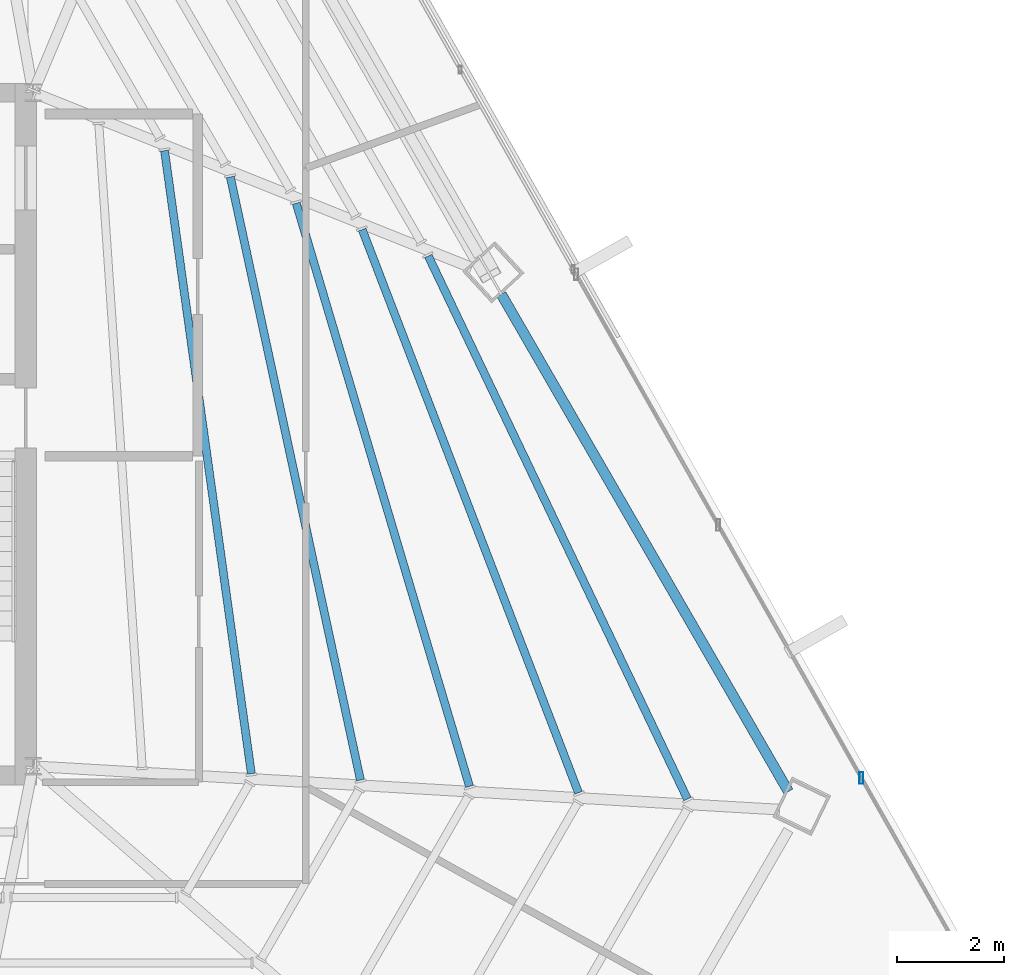
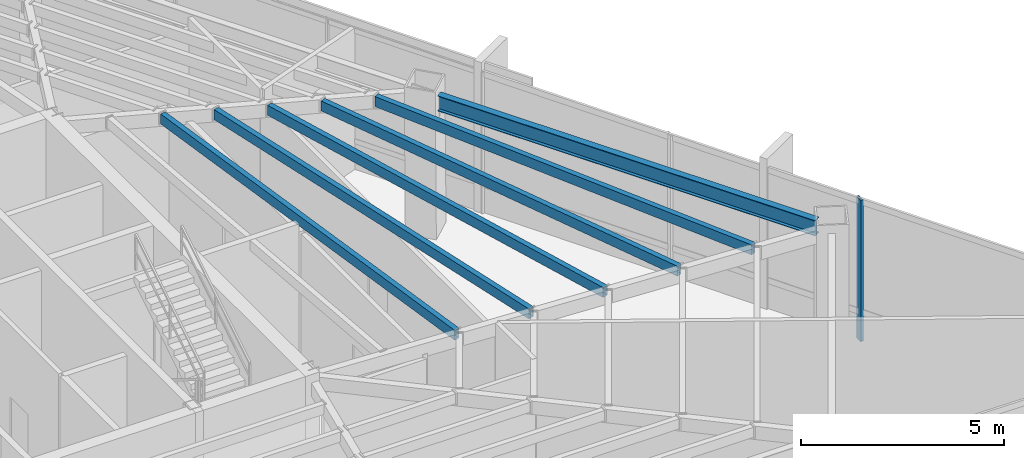
# One storey, part 19 of 37: 6 beams, 1 member, 1 element without a shape of its own.
"""IFC4 building model written with IfcOpenShell, lengths in metres."""

from ifc_helpers import new_model, si_unit, direction, frame, origin, origin_2d, place, context, subcontext, project, spatial, hollow_rectangle, i_section, extrude, source, transform, mapped, material, material_profile, profile_set, type_object, type_shapes, element, aggregate, save


model = new_model("IFC4")

# Units and contexts
model_context = context("Model", 3, precision=1e-05, world=origin(), true_north=direction((0.0, 1.0)))
body_context = subcontext(model_context, "Body", "Model", "MODEL_VIEW")
ifc_project = project(units=[si_unit("LENGTHUNIT", "METRE"), si_unit("AREAUNIT", "SQUARE_METRE"), si_unit("VOLUMEUNIT", "CUBIC_METRE"), si_unit("PLANEANGLEUNIT", "RADIAN"), si_unit("MASSUNIT", "GRAM", prefix="KILO")], contexts=[model_context])

# Site, building, storey
site_placement = place(None, origin())
site = spatial("IfcSite", under=ifc_project, at=site_placement, CompositionType="ELEMENT")
building_placement = place(site_placement, origin())
building = spatial("IfcBuilding", under=site, at=building_placement, Name="Caelisora Broadcast Tower", CompositionType="ELEMENT")
storey_placement = place(building_placement, frame((0.0, 0.0, 225.35009765625)))
storey = spatial("IfcBuildingStorey", under=building, at=storey_placement, Name="L59", CompositionType="ELEMENT", Elevation=225.35009765625)

# Beams
ifc_material_1 = material(Name="Steel Grade 350 (AS/NZS 3679.1)", Category="steel")
ifc_material_profile_1 = material_profile(ifc_material_1, i_section(OverallWidth=0.19091796875, OverallDepth=0.46044921875, WebThickness=0.010009765625, FlangeThickness=0.01611328125, at=origin_2d()), Name="Steel Grade 350 (AS/NZS 3679.1)")
ifc_profile_set_1 = profile_set([ifc_material_profile_1], Name="Steel Grade 350 (AS/NZS 3679.1)")
beam_type_1 = type_object("IfcBeamType", Name="PG06", PredefinedType="BEAM", material=ifc_profile_set_1)
shared_shape_1 = source(origin(), body_context, "Body", "SweptSolid", [
    extrude(i_section(OverallWidth=0.19091796875, OverallDepth=0.46044921875, WebThickness=0.010009765625, FlangeThickness=0.01611328125, at=origin_2d()), origin(), (0.0, 0.0, 1.0), 10.73876953125),
])
type_shapes(beam_type_1, [shared_shape_1])
beam_1_placement = place(storey_placement, frame((59.62841796875, 16.92626953125, 4.019775390625), z_axis=(-0.499999935134, 0.866025441235, 0.0), x_axis=(-0.866025441235, -0.499999935134, 0.0)))
element("IfcBeam", 1, at=beam_1_placement, inside=storey, type_object=beam_type_1, Name="L59 beam PG06", PredefinedType="BEAM", context=body_context, shape_type="MappedRepresentation", body=[
    mapped(shared_shape_1, transform((0.0, 0.0, 0.0), scale=1.0)),
])
ifc_material_2 = material(Name="Steel Grade 350 (AS/NZS 1163 C350L0)", Category="steel")
ifc_material_profile_2 = material_profile(ifc_material_2, hollow_rectangle(XDim=0.14990234375, YDim=0.300048828125, WallThickness=0.010009765625, at=origin_2d()), Name="Steel Grade 350 (AS/NZS 1163 C350L0)")
ifc_profile_set_2 = profile_set([ifc_material_profile_2], Name="Steel Grade 350 (AS/NZS 1163 C350L0)")
beam_type_2 = type_object("IfcBeamType", Name="SB05", PredefinedType="JOIST", material=ifc_profile_set_2)
shared_shape_2 = source(origin(), body_context, "Body", "SweptSolid", [
    extrude(hollow_rectangle(XDim=0.14990234375, YDim=0.300048828125, WallThickness=0.010009765625, at=origin_2d()), origin(), (0.0, 0.0, 1.0), 11.7666015625),
])
beam_2_placement = place(storey_placement, frame((49.58251953125, 17.259765625, 4.099853515625), z_axis=(-0.13801901254, 0.990429579616, 0.0), x_axis=(-0.990429579616, -0.13801901254, 0.0)))
element("IfcBeam", 2, at=beam_2_placement, inside=storey, type_object=beam_type_2, Name="L59 beam SB05", PredefinedType="JOIST", context=body_context, shape_type="MappedRepresentation", body=[
    mapped(shared_shape_2, transform((0.0, 0.0, 0.0), scale=1.0)),
])
shared_shape_3 = source(origin(), body_context, "Body", "SweptSolid", [
    extrude(hollow_rectangle(XDim=0.14990234375, YDim=0.300048828125, WallThickness=0.010009765625, at=origin_2d()), origin(), (0.0, 0.0, 1.0), 11.540771484375),
])
beam_3_placement = place(storey_placement, frame((51.623046875, 17.14111328125, 4.099853515625), z_axis=(-0.210869580806, 0.977514204444, 0.0), x_axis=(-0.977514204444, -0.210869580806, 0.0)))
element("IfcBeam", 3, at=beam_3_placement, inside=storey, type_object=beam_type_2, Name="L59 beam SB05", PredefinedType="JOIST", context=body_context, shape_type="MappedRepresentation", body=[
    mapped(shared_shape_3, transform((0.0, 0.0, 0.0), scale=1.0)),
])
shared_shape_4 = source(origin(), body_context, "Body", "SweptSolid", [
    extrude(hollow_rectangle(XDim=0.14990234375, YDim=0.300048828125, WallThickness=0.010009765625, at=origin_2d()), origin(), (0.0, 0.0, 1.0), 11.379150390625),
])
beam_4_placement = place(storey_placement, frame((53.662841796875, 17.0224609375, 4.099853515625), z_axis=(-0.284813629201, 0.958582910666, 0.0), x_axis=(-0.958582910666, -0.284813629201, 0.0)))
element("IfcBeam", 4, at=beam_4_placement, inside=storey, type_object=beam_type_2, Name="L59 beam SB05", PredefinedType="JOIST", context=body_context, shape_type="MappedRepresentation", body=[
    mapped(shared_shape_4, transform((0.0, 0.0, 0.0), scale=1.0)),
])
shared_shape_5 = source(origin(), body_context, "Body", "SweptSolid", [
    extrude(hollow_rectangle(XDim=0.14990234375, YDim=0.300048828125, WallThickness=0.010009765625, at=origin_2d()), origin(), (0.0, 0.0, 1.0), 11.283935546875),
])
beam_5_placement = place(storey_placement, frame((55.7021484375, 16.904052734375, 4.099853515625), z_axis=(-0.358597739887, 0.933492185799, 0.0), x_axis=(-0.933492185799, -0.358597739887, 0.0)))
element("IfcBeam", 5, at=beam_5_placement, inside=storey, type_object=beam_type_2, Name="L59 beam SB05", PredefinedType="JOIST", context=body_context, shape_type="MappedRepresentation", body=[
    mapped(shared_shape_5, transform((0.0, 0.0, 0.0), scale=1.0)),
])
shared_shape_6 = source(origin(), body_context, "Body", "SweptSolid", [
    extrude(hollow_rectangle(XDim=0.14990234375, YDim=0.300048828125, WallThickness=0.010009765625, at=origin_2d()), origin(), (0.0, 0.0, 1.0), 11.256591796875),
])
type_shapes(beam_type_2, [shared_shape_2, shared_shape_3, shared_shape_4, shared_shape_5, shared_shape_6])
beam_6_placement = place(storey_placement, frame((57.740478515625, 16.785400390625, 4.099853515625), z_axis=(-0.430759295031, 0.902466857975, 0.0), x_axis=(-0.902466857975, -0.430759295031, 0.0)))
element("IfcBeam", 6, at=beam_6_placement, inside=storey, type_object=beam_type_2, Name="L59 beam SB05", PredefinedType="JOIST", context=body_context, shape_type="MappedRepresentation", body=[
    mapped(shared_shape_6, transform((0.0, 0.0, 0.0), scale=1.0)),
])

# Curtain wall, member
ifc_material_3 = material(Name="Unitised Aluminium and Low-E Glass Curtain Wall", Category="glass")
curtain_wall_type = type_object("IfcCurtainWallType", Name="CW-SKY", PredefinedType="NOTDEFINED", material=ifc_material_3)
curtain_wall_placement = place(storey_placement, origin())
curtain_wall = element("IfcCurtainWall", 7, at=curtain_wall_placement, inside=storey, type_object=curtain_wall_type, Name="L59 curtain wall CW-SKY", PredefinedType="NOTDEFINED")
ifc_material_4 = material(Name="Aluminium 6063-T6 Anodised Terracotta Bronze", Category="aluminium")
ifc_material_profile_3 = material_profile(ifc_material_4, hollow_rectangle(XDim=0.074951171875, YDim=0.219970703125, WallThickness=0.00390625, at=origin_2d()), Name="Aluminium 6063-T6 Anodised Terracotta Bronze")
ifc_profile_set_3 = profile_set([ifc_material_profile_3], Name="Aluminium 6063-T6 Anodised Terracotta Bronze")
member_type = type_object("IfcMemberType", Name="CWM-01", PredefinedType="MULLION", material=ifc_profile_set_3)
shared_shape_7 = source(origin(), body_context, "Body", "SweptSolid", [
    extrude(hollow_rectangle(XDim=0.074951171875, YDim=0.219970703125, WallThickness=0.00390625, at=origin_2d()), origin(), (0.0, 0.0, 1.0), 4.25),
])
type_shapes(member_type, [shared_shape_7])
member_placement = place(storey_placement, frame((60.993896484375, 17.180908203125, 0.0), z_axis=(0.0, 0.0, 1.0), x_axis=(1.0, 0.0, 0.0)))
member = element("IfcMember", 8, at=member_placement, type_object=member_type, Name="L59-CW-B03 mullion #2", PredefinedType="MULLION", context=body_context, shape_type="MappedRepresentation", body=[
    mapped(shared_shape_7, transform((0.0, 0.0, 0.0), scale=1.0)),
])
aggregate(curtain_wall, [member])

save(model, "model.ifc")
